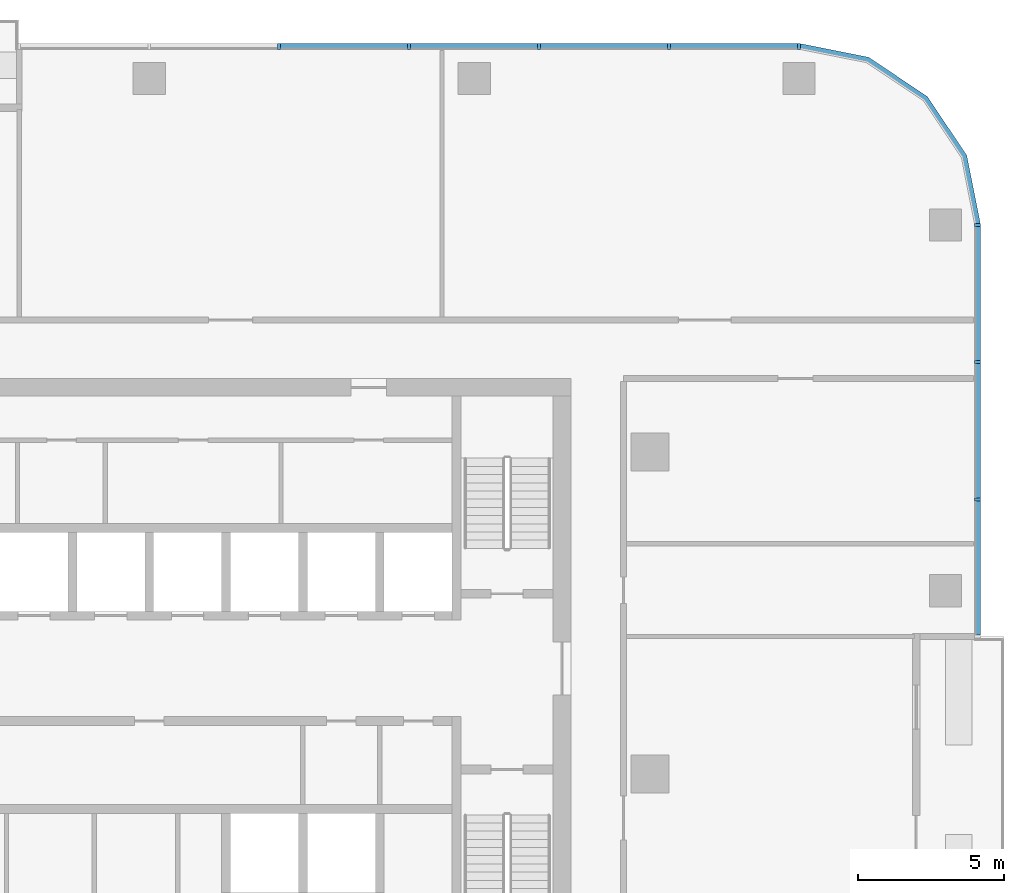
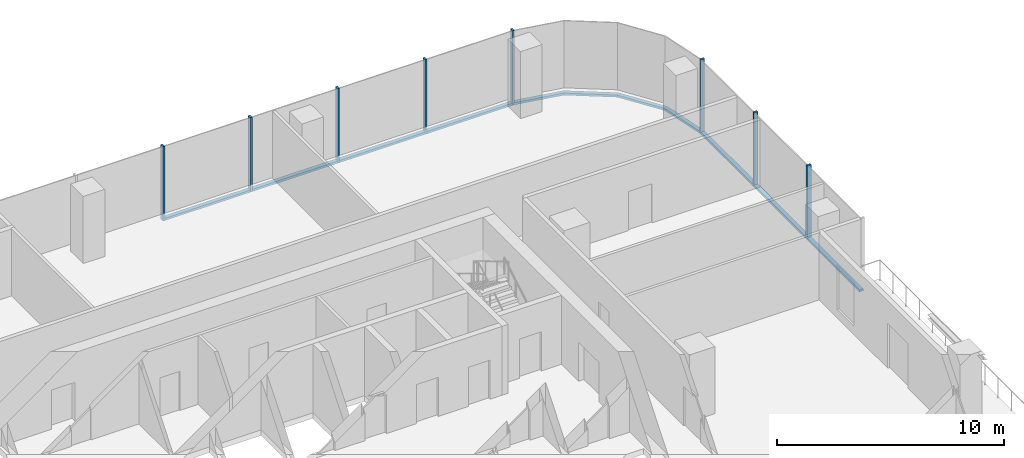
# One storey, part 5 of 14: 16 members, 3 elements without a shape of their own.
"""IFC4 building model written with IfcOpenShell, lengths in metres."""

import ifcopenshell
import ifcopenshell.guid

model = None  # the IFC model being written
_history = None  # IfcOwnerHistory: only IFC2X3 demands one
_inside = {}  # id of a spatial element -> (the spatial element, [elements in it])
_under = {}  # id of a project, library or spatial element -> (it, [spatial elements below it])
_declared = {}  # id of a project -> (the project, [libraries it declares])
_typed = {}  # id of a type object -> (the type object, [elements of that type])
_made_of = {}  # id of a material, layer set ... -> (it, [elements and type objects made of it])


def new_model(schema):
    """Start an empty IFC model of exactly this schema.

    Asked for "IFC4X3", IfcOpenShell would pick the latest addendum, in which some entities
    have other attributes; the version numbers below select the first issue.
    IFC2X3 requires an IfcOwnerHistory on every rooted entity: one is made here for all.
    """
    global model, _history
    if schema == "IFC4X3":
        model = ifcopenshell.file(schema_version=(4, 3, 0, 0))
    else:
        model = ifcopenshell.file(schema=schema)
    _inside.clear()
    _under.clear()
    _declared.clear()
    _typed.clear()
    _made_of.clear()
    _history = None
    if model.schema == "IFC2X3":
        org = make("IfcOrganization", Name="unknown")
        user = make(
            "IfcPersonAndOrganization",
            ThePerson=make("IfcPerson", FamilyName="unknown"),
            TheOrganization=org,
        )
        app = make(
            "IfcApplication",
            ApplicationDeveloper=org,
            Version="unknown",
            ApplicationFullName="unknown",
            ApplicationIdentifier="unknown",
        )
        _history = make(
            "IfcOwnerHistory",
            OwningUser=user,
            OwningApplication=app,
            ChangeAction="ADDED",
            CreationDate=0,
        )
    return model


def make(cls, **values):
    """One entity of the class cls with the attributes given. An attribute that is None is left unset."""
    return model.create_entity(
        cls, **{name: value for name, value in values.items() if value is not None}
    )


def rooted(cls, **values):
    """An entity with a GlobalId (a new one), such as an element, a storey or a relation."""
    return make(cls, GlobalId=ifcopenshell.guid.new(), OwnerHistory=_history, **values)


def si_unit(unit_type, name, prefix=None):
    """IfcSIUnit, for example si_unit("LENGTHUNIT", "METRE", prefix="MILLI")."""
    return make("IfcSIUnit", UnitType=unit_type, Prefix=prefix, Name=name)


def assignment(units):
    """IfcUnitAssignment: the units of a project."""
    return None if units is None else make("IfcUnitAssignment", Units=units)


def point(xyz):
    """IfcCartesianPoint."""
    return None if xyz is None else make("IfcCartesianPoint", Coordinates=xyz)


def direction(xyz):
    """IfcDirection."""
    return None if xyz is None else make("IfcDirection", DirectionRatios=xyz)


def frame(location, z_axis=None, x_axis=None):
    """IfcAxis2Placement3D, a coordinate frame: its origin and axes. An axis left out is left unset."""
    return make(
        "IfcAxis2Placement3D",
        Location=point(location),
        Axis=direction(z_axis),
        RefDirection=direction(x_axis),
    )


def frame_2d(location, x_axis=None):
    """IfcAxis2Placement2D, a coordinate frame in the plane: its origin and x axis."""
    return make(
        "IfcAxis2Placement2D", Location=point(location), RefDirection=direction(x_axis)
    )


def origin():
    """The frame at (0, 0, 0) with its axes left unset."""
    return frame((0.0, 0.0, 0.0))


def origin_2d():
    """The frame at (0, 0) in the plane with its x axis left unset."""
    return frame_2d((0.0, 0.0))


def place(relative_to, where):
    """IfcLocalPlacement: puts the frame where relative to a parent placement (None: the world)."""
    return make(
        "IfcLocalPlacement", PlacementRelTo=relative_to, RelativePlacement=where
    )


def context(
    kind, dimensions, precision=None, world=None, true_north=None, identifier=None
):
    """IfcGeometricRepresentationContext, for example the 3D "Model" context."""
    return make(
        "IfcGeometricRepresentationContext",
        ContextIdentifier=identifier,
        ContextType=kind,
        CoordinateSpaceDimension=dimensions,
        Precision=precision,
        WorldCoordinateSystem=world,
        TrueNorth=true_north,
    )


def subcontext(parent, identifier, kind, view, scale=None):
    """IfcGeometricRepresentationSubContext, for example "Body" below "Model"."""
    return make(
        "IfcGeometricRepresentationSubContext",
        ContextIdentifier=identifier,
        ContextType=kind,
        ParentContext=parent,
        TargetScale=scale,
        TargetView=view,
    )


def project(units=None, contexts=None):
    """IfcProject with its units and contexts."""
    return rooted(
        "IfcProject",
        Name="project",
        RepresentationContexts=contexts,
        UnitsInContext=assignment(units),
    )


def spatial(cls, under=None, at=None, **own):
    """A site, building, storey or space (cls), placed at a placement, below another one or the project."""
    s = rooted(cls, ObjectPlacement=at, **own)
    if under is not None:
        _under.setdefault(under.id(), (under, []))[1].append(s)
    return s


def polyline(points):
    """IfcPolyline through the points."""
    return make("IfcPolyline", Points=[point(p) for p in points])


def profile(cls, at=None, kind="AREA", **sizes):
    """A parametric profile (cls). Its sizes go by their IFC names, for example OverallWidth=200.0."""
    return make(cls, ProfileType=kind, Position=at, **sizes)


def rectangle(**sizes):
    """IfcRectangleProfileDef."""
    return profile("IfcRectangleProfileDef", **sizes)


def outline(outer, holes=None, kind="AREA"):
    """IfcArbitraryClosedProfileDef: a profile drawn as a closed curve; with holes, ...WithVoids."""
    if holes is None:
        return make("IfcArbitraryClosedProfileDef", ProfileType=kind, OuterCurve=outer)
    return make(
        "IfcArbitraryProfileDefWithVoids",
        ProfileType=kind,
        OuterCurve=outer,
        InnerCurves=holes,
    )


def extrude(swept, where, along, depth):
    """IfcExtrudedAreaSolid: the profile swept, set in the frame where, extruded along a direction by depth."""
    return make(
        "IfcExtrudedAreaSolid",
        SweptArea=swept,
        Position=where,
        ExtrudedDirection=direction(along),
        Depth=depth,
    )


def shape(context_of_items, identifier, shape_type, items):
    """IfcShapeRepresentation: the items that make up one representation, for example the "Body"."""
    return make(
        "IfcShapeRepresentation",
        ContextOfItems=context_of_items,
        RepresentationIdentifier=identifier,
        RepresentationType=shape_type,
        Items=items,
    )


def material(Name=None, Category=None):
    """IfcMaterial."""
    return make("IfcMaterial", Name=Name, Category=Category)


def material_profile(
    of_material, cross_section, Name=None, Category=None, Priority=None
):
    """IfcMaterialProfile: a cross section and its material."""
    return make(
        "IfcMaterialProfile",
        Name=Name,
        Material=of_material,
        Profile=cross_section,
        Priority=Priority,
        Category=Category,
    )


def profile_set(profiles, Name=None, composite=None):
    """IfcMaterialProfileSet."""
    return make(
        "IfcMaterialProfileSet",
        Name=Name,
        MaterialProfiles=profiles,
        CompositeProfile=composite,
    )


def made_of(thing, what):
    """Note that an element or type object is made of a material, layer set ...; save() writes the relation."""
    if what is not None:
        _made_of.setdefault(what.id(), (what, []))[1].append(thing)
    return thing


def type_object(cls, material=None, **own):
    """A type object (cls), such as IfcWallType, which elements share."""
    return made_of(rooted(cls, **own), material)


def element(
    cls,
    number,
    at=None,
    inside=None,
    cuts=None,
    type_object=None,
    material=None,
    context=None,
    identifier="Body",
    shape_type=None,
    held_by="IfcProductDefinitionShape",
    body=None,
    shapes=None,
    **own,
):
    """One element of the class cls, such as IfcWall. Its Tag is "e" and its number.

    at: its placement. inside: the storey or other place that contains it. cuts: it is an
    opening in that element (IfcRelVoidsElement). A single representation is given by context,
    identifier, shape_type and body (its items); several are given by shapes. held_by: the class
    of the entity that holds the representations. save() writes the other relations.
    """
    e = rooted(cls, Tag="e%d" % number, ObjectPlacement=at, **own)
    if body is not None:
        shapes = [shape(context, identifier, shape_type, body)]
    if shapes is not None:
        e.Representation = make(held_by, Representations=shapes)
    if inside is not None:
        _inside.setdefault(inside.id(), (inside, []))[1].append(e)
    if cuts is not None:
        rooted(
            "IfcRelVoidsElement", RelatingBuildingElement=cuts, RelatedOpeningElement=e
        )
    if type_object is not None:
        _typed.setdefault(type_object.id(), (type_object, []))[1].append(e)
    return made_of(e, material)


def aggregate(whole, parts):
    """IfcRelAggregates: a whole, such as a stair, and the parts it consists of."""
    return rooted("IfcRelAggregates", RelatingObject=whole, RelatedObjects=parts)


def save(model, path):
    """Write the relations noted so far, then the file.

    IfcRelAggregates (storeys below a building ...), IfcRelContainedInSpatialStructure (elements
    in a storey), IfcRelDefinesByType, IfcRelAssociatesMaterial and IfcRelDeclares: one each for
    every whole, place, type object, material and project.
    """
    for whole, parts in _under.values():
        aggregate(whole, parts)
    for where, things in _inside.values():
        rooted(
            "IfcRelContainedInSpatialStructure",
            RelatedElements=things,
            RelatingStructure=where,
        )
    for kind, things in _typed.values():
        rooted("IfcRelDefinesByType", RelatedObjects=things, RelatingType=kind)
    for what, things in _made_of.values():
        rooted("IfcRelAssociatesMaterial", RelatedObjects=things, RelatingMaterial=what)
    for by, libraries in _declared.values():
        rooted("IfcRelDeclares", RelatingContext=by, RelatedDefinitions=libraries)
    model.write(path)


model = new_model("IFC4")

# Units and contexts
model_context = context("Model", 3, precision=1e-05, world=origin(), true_north=direction((0.0, 1.0)))
body_context = subcontext(model_context, "Body", "Model", "MODEL_VIEW")
ifc_project = project(units=[si_unit("LENGTHUNIT", "METRE"), si_unit("AREAUNIT", "SQUARE_METRE"), si_unit("VOLUMEUNIT", "CUBIC_METRE"), si_unit("PLANEANGLEUNIT", "RADIAN"), si_unit("MASSUNIT", "GRAM", prefix="KILO")], contexts=[model_context])

# Site, building, storey
site_placement = place(None, origin())
site = spatial("IfcSite", under=ifc_project, at=site_placement, CompositionType="ELEMENT")
building_placement = place(site_placement, origin())
building = spatial("IfcBuilding", under=site, at=building_placement, Name="Mopane Tessera Tower", CompositionType="ELEMENT")
storey_placement = place(building_placement, frame((0.0, 0.0, 227.0)))
storey = spatial("IfcBuildingStorey", under=building, at=storey_placement, Name="L48", CompositionType="ELEMENT", Elevation=227.0)

# Curtain wall, members
ifc_material_1 = material(Name="Aluminium frame", Category="aluminium")
curtain_wall_type = type_object("IfcCurtainWallType", Name="Unitised curtain wall", PredefinedType="NOTDEFINED", material=ifc_material_1)
curtain_wall_1_placement = place(storey_placement, origin())
curtain_wall_1 = element("IfcCurtainWall", 1, at=curtain_wall_1_placement, inside=storey, type_object=curtain_wall_type, Name="e:cw:L48:E:5", PredefinedType="NOTDEFINED")
ifc_material_2 = material(Name="Aluminium frame", Category="aluminium")
ifc_material_profile_1 = material_profile(ifc_material_2, rectangle(XDim=0.10009765625, YDim=0.199951171875, at=origin_2d()))
ifc_profile_set_1 = profile_set([ifc_material_profile_1], Name="Aluminium frame")
member_type_1 = type_object("IfcMemberType", Name="Aluminium mullion 100 x 200", PredefinedType="MULLION", material=ifc_profile_set_1)
member_1_placement = place(storey_placement, frame((28.300048828125, 9.375, -0.39990234375), z_axis=(0.0, 0.0, 1.0), x_axis=(0.0, 1.0, 0.0)))
member_1 = element("IfcMember", 2, at=member_1_placement, type_object=member_type_1, Name="e:cw:L48:E:5:mu6", PredefinedType="MULLION", context=body_context, shape_type="SweptSolid", body=[
    extrude(rectangle(XDim=0.10009765625, YDim=0.199951171875, at=origin_2d()), origin(), (0.0, 0.0, 1.0), 4.0),
])
member_2_placement = place(storey_placement, frame((28.300048828125, 14.0625, -0.39990234375), z_axis=(0.0, 0.0, 1.0), x_axis=(0.0, 1.0, 0.0)))
member_2 = element("IfcMember", 3, at=member_2_placement, type_object=member_type_1, Name="e:cw:L48:E:5:mu7", PredefinedType="MULLION", context=body_context, shape_type="SweptSolid", body=[
    extrude(rectangle(XDim=0.10009765625, YDim=0.199951171875, at=origin_2d()), origin(), (0.0, 0.0, 1.0), 4.0),
])
member_3_placement = place(storey_placement, frame((28.300048828125, 18.75, -0.39990234375), z_axis=(0.0, 0.0, 1.0), x_axis=(0.0, 1.0, 0.0)))
member_3 = element("IfcMember", 4, at=member_3_placement, type_object=member_type_1, Name="e:cw:L48:E:5:mu8", PredefinedType="MULLION", context=body_context, shape_type="SweptSolid", body=[
    extrude(rectangle(XDim=0.10009765625, YDim=0.199951171875, at=origin_2d()), origin(), (0.0, 0.0, 1.0), 4.0),
])

curtain_wall_2_placement = place(storey_placement, origin())
curtain_wall_2 = element("IfcCurtainWall", 5, at=curtain_wall_2_placement, inside=storey, type_object=curtain_wall_type, Name="e:cw:L48:N:0", PredefinedType="NOTDEFINED")
member_4_placement = place(storey_placement, frame((22.199951171875, 24.85009765625, -0.39990234375), z_axis=(0.0, 0.0, 1.0), x_axis=(-1.0, 0.0, 0.0)))
member_4 = element("IfcMember", 6, at=member_4_placement, type_object=member_type_1, Name="e:cw:L48:N:0:mu0", PredefinedType="MULLION", context=body_context, shape_type="SweptSolid", body=[
    extrude(rectangle(XDim=0.10009765625, YDim=0.199951171875, at=origin_2d()), origin(), (0.0, 0.0, 1.0), 4.0),
])
member_5_placement = place(storey_placement, frame((17.760009765625, 24.85009765625, -0.39990234375), z_axis=(0.0, 0.0, 1.0), x_axis=(-1.0, 0.0, 0.0)))
member_5 = element("IfcMember", 7, at=member_5_placement, type_object=member_type_1, Name="e:cw:L48:N:0:mu1", PredefinedType="MULLION", context=body_context, shape_type="SweptSolid", body=[
    extrude(rectangle(XDim=0.10009765625, YDim=0.199951171875, at=origin_2d()), origin(), (0.0, 0.0, 1.0), 4.0),
])
member_6_placement = place(storey_placement, frame((13.320068359375, 24.85009765625, -0.39990234375), z_axis=(0.0, 0.0, 1.0), x_axis=(-1.0, 0.0, 0.0)))
member_6 = element("IfcMember", 8, at=member_6_placement, type_object=member_type_1, Name="e:cw:L48:N:0:mu2", PredefinedType="MULLION", context=body_context, shape_type="SweptSolid", body=[
    extrude(rectangle(XDim=0.10009765625, YDim=0.199951171875, at=origin_2d()), origin(), (0.0, 0.0, 1.0), 4.0),
])
member_7_placement = place(storey_placement, frame((8.8798828125, 24.85009765625, -0.39990234375), z_axis=(0.0, 0.0, 1.0), x_axis=(-1.0, 0.0, 0.0)))
member_7 = element("IfcMember", 9, at=member_7_placement, type_object=member_type_1, Name="e:cw:L48:N:0:mu3", PredefinedType="MULLION", context=body_context, shape_type="SweptSolid", body=[
    extrude(rectangle(XDim=0.10009765625, YDim=0.199951171875, at=origin_2d()), origin(), (0.0, 0.0, 1.0), 4.0),
])
member_8_placement = place(storey_placement, frame((4.43994140625, 24.85009765625, -0.39990234375), z_axis=(0.0, 0.0, 1.0), x_axis=(-1.0, 0.0, 0.0)))
member_8 = element("IfcMember", 10, at=member_8_placement, type_object=member_type_1, Name="e:cw:L48:N:0:mu4", PredefinedType="MULLION", context=body_context, shape_type="SweptSolid", body=[
    extrude(rectangle(XDim=0.10009765625, YDim=0.199951171875, at=origin_2d()), origin(), (0.0, 0.0, 1.0), 4.0),
])

# Member
ifc_material_3 = material(Name="Aluminium frame", Category="aluminium")
ifc_material_profile_2 = material_profile(ifc_material_3, rectangle(XDim=0.199951171875, YDim=0.1201171875, at=origin_2d()))
ifc_profile_set_2 = profile_set([ifc_material_profile_2], Name="Aluminium frame")
member_type_2 = type_object("IfcMemberType", Name="Aluminium transom 200 x 120", PredefinedType="USERDEFINED", material=ifc_profile_set_2)
member_9_placement = place(storey_placement, frame((28.300048828125, 4.737548828125, -0.340087890625), z_axis=(0.0, 1.0, 0.0), x_axis=(-1.0, 0.0, 0.0)))
member_9 = element("IfcMember", 11, at=member_9_placement, type_object=member_type_2, Name="e:cw:L48:E:5:tr5", ObjectType="TRANSOM", PredefinedType="USERDEFINED", context=body_context, shape_type="SweptSolid", body=[
    extrude(rectangle(XDim=0.199951171875, YDim=0.1201171875, at=origin_2d()), origin(), (0.0, 0.0, 1.0), 4.58740234375),
])

member_10_placement = place(storey_placement, frame((28.300048828125, 9.425048828125, -0.340087890625), z_axis=(0.0, 1.0, 0.0), x_axis=(-1.0, 0.0, 0.0)))
member_10 = element("IfcMember", 12, at=member_10_placement, type_object=member_type_2, Name="e:cw:L48:E:5:tr6", ObjectType="TRANSOM", PredefinedType="USERDEFINED", context=body_context, shape_type="SweptSolid", body=[
    extrude(rectangle(XDim=0.199951171875, YDim=0.1201171875, at=origin_2d()), origin(), (0.0, 0.0, 1.0), 4.58740234375),
])

member_11_placement = place(storey_placement, frame((28.300048828125, 14.112548828125, -0.340087890625), z_axis=(0.0, 1.0, 0.0), x_axis=(-1.0, 0.0, 0.0)))
member_11 = element("IfcMember", 13, at=member_11_placement, type_object=member_type_2, Name="e:cw:L48:E:5:tr7", ObjectType="TRANSOM", PredefinedType="USERDEFINED", context=body_context, shape_type="SweptSolid", body=[
    extrude(rectangle(XDim=0.199951171875, YDim=0.1201171875, at=origin_2d()), origin(), (0.0, 0.0, 1.0), 4.58740234375),
])

aggregate(curtain_wall_1, [member_1, member_2, member_3, member_9, member_10, member_11])

# Curtain wall, member
curtain_wall_3_placement = place(storey_placement, origin())
curtain_wall_3 = element("IfcCurtainWall", 14, at=curtain_wall_3_placement, inside=storey, type_object=curtain_wall_type, Name="e:cw:L48:CE", PredefinedType="NOTDEFINED")
member_12_placement = place(storey_placement, frame((0.0, 0.0, -0.39990234375)))
member_12 = element("IfcMember", 15, at=member_12_placement, type_object=member_type_2, Name="e:cw:L48:CE:tr", ObjectType="TRANSOM", PredefinedType="USERDEFINED", context=body_context, shape_type="SweptSolid", body=[
    extrude(outline(polyline([(28.199951171875, 18.75), (27.7431640625, 21.046142578125), (26.442626953125, 22.99267578125), (24.49609375, 24.293212890625), (22.199951171875, 24.75), (22.199951171875, 24.949951171875), (24.57275390625, 24.47802734375), (26.583984375, 23.134033203125), (27.927978515625, 21.12255859375), (28.39990234375, 18.75), (28.199951171875, 18.75)])), origin(), (0.0, 0.0, 1.0), 0.119873046875),
])
aggregate(curtain_wall_3, [member_12])

# Member
member_13_placement = place(storey_placement, frame((22.14990234375, 24.85009765625, -0.340087890625), z_axis=(-1.0, 0.0, 0.0), x_axis=(0.0, -1.0, 0.0)))
member_13 = element("IfcMember", 16, at=member_13_placement, type_object=member_type_2, Name="e:cw:L48:N:0:tr0", ObjectType="TRANSOM", PredefinedType="USERDEFINED", context=body_context, shape_type="SweptSolid", body=[
    extrude(rectangle(XDim=0.199951171875, YDim=0.1201171875, at=origin_2d()), origin(), (0.0, 0.0, 1.0), 4.33984375),
])

member_14_placement = place(storey_placement, frame((17.7099609375, 24.85009765625, -0.340087890625), z_axis=(-1.0, 0.0, 0.0), x_axis=(0.0, -1.0, 0.0)))
member_14 = element("IfcMember", 17, at=member_14_placement, type_object=member_type_2, Name="e:cw:L48:N:0:tr1", ObjectType="TRANSOM", PredefinedType="USERDEFINED", context=body_context, shape_type="SweptSolid", body=[
    extrude(rectangle(XDim=0.199951171875, YDim=0.1201171875, at=origin_2d()), origin(), (0.0, 0.0, 1.0), 4.33984375),
])

member_15_placement = place(storey_placement, frame((13.27001953125, 24.85009765625, -0.340087890625), z_axis=(-1.0, 0.0, 0.0), x_axis=(0.0, -1.0, 0.0)))
member_15 = element("IfcMember", 18, at=member_15_placement, type_object=member_type_2, Name="e:cw:L48:N:0:tr2", ObjectType="TRANSOM", PredefinedType="USERDEFINED", context=body_context, shape_type="SweptSolid", body=[
    extrude(rectangle(XDim=0.199951171875, YDim=0.1201171875, at=origin_2d()), origin(), (0.0, 0.0, 1.0), 4.340087890625),
])

member_16_placement = place(storey_placement, frame((8.830078125, 24.85009765625, -0.340087890625), z_axis=(-1.0, 0.0, 0.0), x_axis=(0.0, -1.0, 0.0)))
member_16 = element("IfcMember", 19, at=member_16_placement, type_object=member_type_2, Name="e:cw:L48:N:0:tr3", ObjectType="TRANSOM", PredefinedType="USERDEFINED", context=body_context, shape_type="SweptSolid", body=[
    extrude(rectangle(XDim=0.199951171875, YDim=0.1201171875, at=origin_2d()), origin(), (0.0, 0.0, 1.0), 4.340087890625),
])

aggregate(curtain_wall_2, [member_4, member_5, member_6, member_7, member_8, member_13, member_14, member_15, member_16])

save(model, "model.ifc")
